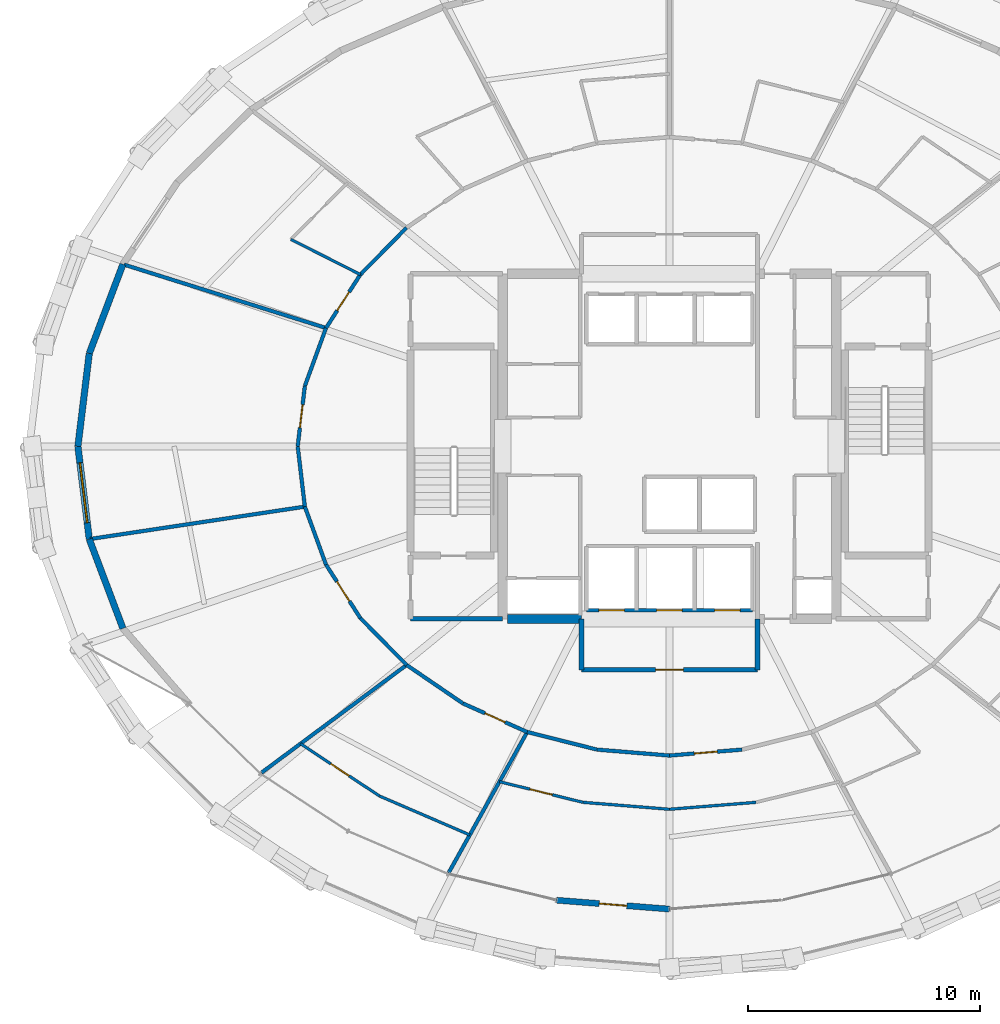
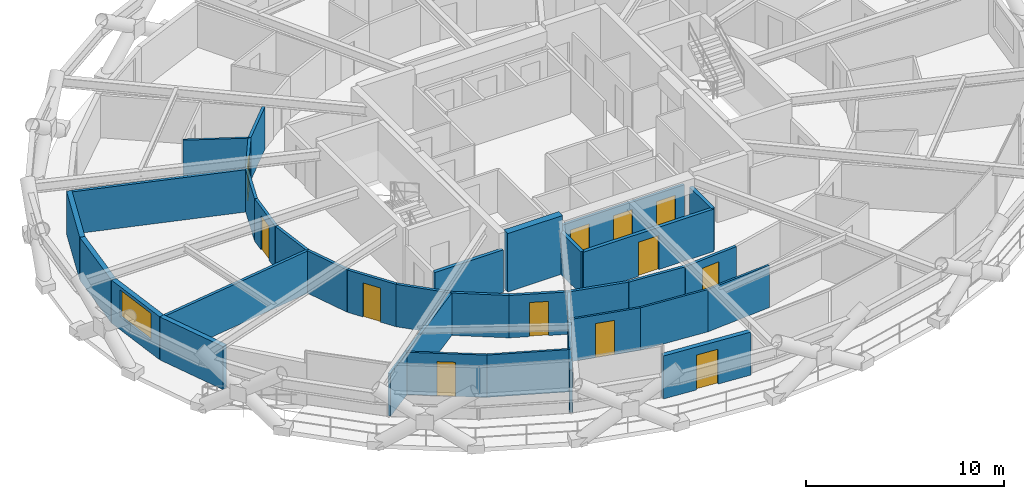
# One storey, part 11 of 17: 34 walls, 12 doors, 1 window, 13 openings.
"""IFC4 building model written with IfcOpenShell, lengths in metres."""

from ifc_helpers import new_model, si_unit, direction, frame, frame_2d, origin, place, context, subcontext, project, spatial, rectangle, extrude, material, layer, layer_set, type_object, element, fill, save


model = new_model("IFC4")

# Units and contexts
model_context = context("Model", 3, precision=1e-05, world=origin(), true_north=direction((0.0, 1.0)))
body_context = subcontext(model_context, "Body", "Model", "MODEL_VIEW")
ifc_project = project(units=[si_unit("LENGTHUNIT", "METRE"), si_unit("AREAUNIT", "SQUARE_METRE"), si_unit("VOLUMEUNIT", "CUBIC_METRE"), si_unit("PLANEANGLEUNIT", "RADIAN"), si_unit("MASSUNIT", "GRAM", prefix="KILO")], contexts=[model_context])

# Site, building, storey
site_placement = place(None, origin())
site = spatial("IfcSite", under=ifc_project, at=site_placement, CompositionType="ELEMENT")
building_placement = place(site_placement, origin())
building = spatial("IfcBuilding", under=site, at=building_placement, Name="Veldorina Hangang Commons", CompositionType="ELEMENT")
storey_placement = place(building_placement, frame((0.0, 0.0, 30.39990234375)))
storey = spatial("IfcBuildingStorey", under=building, at=storey_placement, Name="L06", CompositionType="ELEMENT", Elevation=30.39990234375)

# Wall
ifc_material_1 = material(Name="Concrete C70/85", Category="concrete")
ifc_layer_1 = layer(ifc_material_1, 0.39990234375)
ifc_layer_set_1 = layer_set([ifc_layer_1], Name="Concrete C70/85")
wall_type_1 = type_object("IfcWallType", Name="CW-RC400-C70", PredefinedType="SHEAR", material=ifc_layer_set_1)
wall_1_placement = place(storey_placement, frame((25.0, 16.550048828125, 0.0), z_axis=(0.0, 0.0, 1.0), x_axis=(1.0, 0.0, 0.0)))
element("IfcWall", 1, at=wall_1_placement, inside=storey, type_object=wall_type_1, Name="L06 south-west core shear wall", PredefinedType="SHEAR", context=body_context, shape_type="SweptSolid", body=[
    extrude(rectangle(XDim=3.199951171875, YDim=0.39990234375, at=frame_2d((1.60009765625, 0.0))), origin(), (0.0, 0.0, 1.0), 3.60009765625),
])

# Wall, opening, door
ifc_material_2 = material(Name="Stone Roman Travertine", Category="masonry")
ifc_layer_2 = layer(ifc_material_2, 0.260009765625)
ifc_layer_set_2 = layer_set([ifc_layer_2], Name="Stone Roman Travertine")
wall_type_2 = type_object("IfcWallType", Name="EW-LOGGIA-260", PredefinedType="STANDARD", material=ifc_layer_set_2)
wall_2_placement = place(storey_placement, frame((27.126708984375, 4.40380859375, 0.0), z_axis=(0.0, 0.0, 1.0), x_axis=(0.996913288378, -0.078510479902, 0.0)))
wall_2 = element("IfcWall", 2, at=wall_2_placement, inside=storey, type_object=wall_type_2, Name="L06 sky-garden loggia portal wall 23", PredefinedType="STANDARD", context=body_context, shape_type="SweptSolid", body=[
    extrude(rectangle(XDim=4.888427734375, YDim=0.260009765625, at=frame_2d((2.4443359375, 0.0))), origin(), (0.0, 0.0, 1.0), 2.650146484375),
])
opening_1_placement = place(wall_2_placement, frame((1.84423828125, 0.0, 0.0)))
opening_1 = element("IfcOpeningElement", 3, at=opening_1_placement, cuts=wall_2, Name="Opening BD-1200", PredefinedType="OPENING", context=body_context, shape_type="SweptSolid", body=[
    extrude(rectangle(XDim=1.199951171875, YDim=2.14990234375, at=frame_2d((0.60009765625, 1.074951171875))), frame((0.0, 0.14013671875, 0.0), z_axis=(0.0, -1.0, 0.0), x_axis=(1.0, 0.0, 0.0)), (0.0, 0.0, 1.0), 0.280029296875),
])
ifc_material_3 = material(Name="Glass Thermal Aluminium Frame", Category="aluminium")
door_type_1 = type_object("IfcDoorType", Name="DR-EXT-LOG1200", OperationType="SINGLE_SWING_LEFT", PredefinedType="DOOR", material=ifc_material_3)
door_1_placement = place(opening_1_placement, origin())
door_1 = element("IfcDoor", 4, at=door_1_placement, inside=storey, type_object=door_type_1, Name="L06 loggia glazed exterior door 23", OperationType="SINGLE_SWING_RIGHT", OverallHeight=2.14990234375, OverallWidth=1.199951171875, PredefinedType="DOOR", context=body_context, shape_type="SweptSolid", body=[
    extrude(rectangle(XDim=1.199951171875, YDim=2.14990234375, at=frame_2d((0.60009765625, 1.074951171875))), frame((0.0, 0.02490234375, 0.0), z_axis=(0.0, -1.0, 0.0), x_axis=(1.0, 0.0, 0.0)), (0.0, 0.0, 1.0), 0.050048828125),
])
fill(opening_1, door_1)

# Walls
ifc_layer_3 = layer(ifc_material_2, 0.280029296875)
ifc_layer_set_3 = layer_set([ifc_layer_3], Name="Stone Roman Travertine")
wall_type_3 = type_object("IfcWallType", Name="EW-TRAV-280", PredefinedType="STANDARD", material=ifc_layer_set_3)
wall_3_placement = place(storey_placement, frame((8.404052734375, 31.8603515625, 0.0), z_axis=(0.0, 0.0, 1.0), x_axis=(-0.352909401731, -0.935657498324, 0.0)))
element("IfcWall", 5, at=wall_3_placement, inside=storey, type_object=wall_type_3, Name="L06 travertine facade wall 14", PredefinedType="STANDARD", context=body_context, shape_type="SweptSolid", body=[
    extrude(rectangle(XDim=4.1181640625, YDim=0.280029296875, at=frame_2d((2.05908203125, 0.0))), origin(), (0.0, 0.0, 1.0), 2.650146484375),
])
wall_4_placement = place(storey_placement, frame((6.95068359375, 28.007080078125, 0.0), z_axis=(0.0, 0.0, 1.0), x_axis=(-0.121555781987, -0.992584601868, 0.0)))
element("IfcWall", 6, at=wall_4_placement, inside=storey, type_object=wall_type_3, Name="L06 travertine facade wall 15", PredefinedType="STANDARD", context=body_context, shape_type="SweptSolid", body=[
    extrude(rectangle(XDim=4.037109375, YDim=0.280029296875, at=frame_2d((2.0185546875, 0.0))), origin(), (0.0, 0.0, 1.0), 2.650146484375),
])

# Wall, opening, window
wall_5_placement = place(storey_placement, frame((6.4599609375, 24.0, 0.0), z_axis=(0.0, 0.0, 1.0), x_axis=(0.121555781987, -0.992584601868, 0.0)))
wall_5 = element("IfcWall", 7, at=wall_5_placement, inside=storey, type_object=wall_type_3, Name="L06 travertine facade wall 16", PredefinedType="STANDARD", context=body_context, shape_type="SweptSolid", body=[
    extrude(rectangle(XDim=4.037109375, YDim=0.280029296875, at=frame_2d((2.0185546875, 0.0))), origin(), (0.0, 0.0, 1.0), 2.650146484375),
])
opening_2_placement = place(wall_5_placement, frame((0.718505859375, 0.0, 0.800048828125)))
opening_2 = element("IfcOpeningElement", 8, at=opening_2_placement, cuts=wall_5, Name="Opening W-02", PredefinedType="OPENING", context=body_context, shape_type="SweptSolid", body=[
    extrude(rectangle(XDim=2.60009765625, YDim=1.64990234375, at=frame_2d((1.300048828125, 0.824951171875))), frame((0.0, 0.14990234375, 0.0), z_axis=(0.0, -1.0, 0.0), x_axis=(1.0, 0.0, 0.0)), (0.0, 0.0, 1.0), 0.300048828125),
])
ifc_material_4 = material(Name="Glass Low-E Triple IGU", Category="glass")
window_type = type_object("IfcWindowType", Name="WIN-TWR-2600", PartitioningType="SINGLE_PANEL", PredefinedType="WINDOW", material=ifc_material_4)
window_placement = place(opening_2_placement, origin())
window = element("IfcWindow", 9, at=window_placement, inside=storey, type_object=window_type, Name="L06 facade window 16", OverallHeight=1.64990234375, OverallWidth=2.60009765625, PartitioningType="SINGLE_PANEL", PredefinedType="WINDOW", context=body_context, shape_type="SweptSolid", body=[
    extrude(rectangle(XDim=2.60009765625, YDim=1.64990234375, at=frame_2d((1.300048828125, 0.824951171875))), frame((0.0, 0.030029296875, 0.0), z_axis=(0.0, -1.0, 0.0), x_axis=(1.0, 0.0, 0.0)), (0.0, 0.0, 1.0), 0.06005859375),
])
fill(opening_2, window)

# Wall
wall_6_placement = place(storey_placement, frame((6.95068359375, 19.992919921875, 0.0), z_axis=(0.0, 0.0, 1.0), x_axis=(0.352909401731, -0.935657498324, 0.0)))
element("IfcWall", 10, at=wall_6_placement, inside=storey, type_object=wall_type_3, Name="L06 travertine facade wall 17", PredefinedType="STANDARD", context=body_context, shape_type="SweptSolid", body=[
    extrude(rectangle(XDim=4.1181640625, YDim=0.280029296875, at=frame_2d((2.05908203125, 0.0))), origin(), (0.0, 0.0, 1.0), 2.650146484375),
])

# Wall, openings, doors
ifc_material_5 = material(Name="Gypsum Fire-Rated Twin Stud Wall", Category="gypsum")
ifc_layer_4 = layer(ifc_material_5, 0.159912109375)
ifc_layer_set_4 = layer_set([ifc_layer_4], Name="Gypsum Fire-Rated Twin Stud Wall")
wall_type_4 = type_object("IfcWallType", Name="WL-FIRE-160", PredefinedType="SOLIDWALL", material=ifc_layer_set_4)
wall_7_placement = place(storey_placement, frame((28.419921875, 16.919921875, 0.0), z_axis=(0.0, 0.0, 1.0), x_axis=(1.0, 0.0, 0.0)))
wall_7 = element("IfcWall", 11, at=wall_7_placement, inside=storey, type_object=wall_type_4, Name="L06 Emergency front shaft wall 026", PredefinedType="SOLIDWALL", context=body_context, shape_type="SweptSolid", body=[
    extrude(rectangle(XDim=7.16015625, YDim=0.159912109375, at=frame_2d((3.580078125, 0.0))), origin(), (0.0, 0.0, 1.0), 2.610107421875),
])
opening_3_placement = place(wall_7_placement, frame((0.530029296875, 0.0, 0.0)))
opening_3 = element("IfcOpeningElement", 12, at=opening_3_placement, cuts=wall_7, Name="Opening LD-03", PredefinedType="OPENING", context=body_context, shape_type="SweptSolid", body=[
    extrude(rectangle(XDim=1.10009765625, YDim=2.14990234375, at=frame_2d((0.550048828125, 1.074951171875))), frame((0.0, 0.08984375, 0.0), z_axis=(0.0, -1.0, 0.0), x_axis=(1.0, 0.0, 0.0)), (0.0, 0.0, 1.0), 0.179931640625),
])
opening_4_placement = place(wall_7_placement, frame((3.030029296875, 0.0, 0.0)))
opening_4 = element("IfcOpeningElement", 13, at=opening_4_placement, cuts=wall_7, Name="Opening LD-03", PredefinedType="OPENING", context=body_context, shape_type="SweptSolid", body=[
    extrude(rectangle(XDim=1.10009765625, YDim=2.14990234375, at=frame_2d((0.550048828125, 1.074951171875))), frame((0.0, 0.08984375, 0.0), z_axis=(0.0, -1.0, 0.0), x_axis=(1.0, 0.0, 0.0)), (0.0, 0.0, 1.0), 0.179931640625),
])
opening_5_placement = place(wall_7_placement, frame((5.530029296875, 0.0, 0.0)))
opening_5 = element("IfcOpeningElement", 14, at=opening_5_placement, cuts=wall_7, Name="Opening LD-03", PredefinedType="OPENING", context=body_context, shape_type="SweptSolid", body=[
    extrude(rectangle(XDim=1.10009765625, YDim=2.14990234375, at=frame_2d((0.550048828125, 1.074951171875))), frame((0.0, 0.08984375, 0.0), z_axis=(0.0, -1.0, 0.0), x_axis=(1.0, 0.0, 0.0)), (0.0, 0.0, 1.0), 0.179931640625),
])
ifc_material_6 = material(Name="Stainless Steel Firefighting Lift Door", Category="steel")
door_type_2 = type_object("IfcDoorType", Name="DR-LIFT-FF1100", OperationType="SLIDING_TO_RIGHT", PredefinedType="DOOR", material=ifc_material_6)
door_2_placement = place(opening_3_placement, origin())
door_2 = element("IfcDoor", 15, at=door_2_placement, inside=storey, type_object=door_type_2, Name="L06 Emergency lift FFL-1 landing door 009", OperationType="SLIDING_TO_RIGHT", OverallHeight=2.14990234375, OverallWidth=1.10009765625, PredefinedType="DOOR", context=body_context, shape_type="SweptSolid", body=[
    extrude(rectangle(XDim=1.10009765625, YDim=2.14990234375, at=frame_2d((0.550048828125, 1.074951171875))), frame((0.0, 0.02490234375, 0.0), z_axis=(0.0, -1.0, 0.0), x_axis=(1.0, 0.0, 0.0)), (0.0, 0.0, 1.0), 0.050048828125),
])
fill(opening_3, door_2)
door_3_placement = place(opening_4_placement, origin())
door_3 = element("IfcDoor", 16, at=door_3_placement, inside=storey, type_object=door_type_2, Name="L06 Emergency lift FFL-2 landing door 010", OperationType="SLIDING_TO_RIGHT", OverallHeight=2.14990234375, OverallWidth=1.10009765625, PredefinedType="DOOR", context=body_context, shape_type="SweptSolid", body=[
    extrude(rectangle(XDim=1.10009765625, YDim=2.14990234375, at=frame_2d((0.550048828125, 1.074951171875))), frame((0.0, 0.02490234375, 0.0), z_axis=(0.0, -1.0, 0.0), x_axis=(1.0, 0.0, 0.0)), (0.0, 0.0, 1.0), 0.050048828125),
])
fill(opening_4, door_3)
door_4_placement = place(opening_5_placement, origin())
door_4 = element("IfcDoor", 17, at=door_4_placement, inside=storey, type_object=door_type_2, Name="L06 Emergency lift EVL-1 landing door 011", OperationType="SLIDING_TO_RIGHT", OverallHeight=2.14990234375, OverallWidth=1.10009765625, PredefinedType="DOOR", context=body_context, shape_type="SweptSolid", body=[
    extrude(rectangle(XDim=1.10009765625, YDim=2.14990234375, at=frame_2d((0.550048828125, 1.074951171875))), frame((0.0, 0.02490234375, 0.0), z_axis=(0.0, -1.0, 0.0), x_axis=(1.0, 0.0, 0.0)), (0.0, 0.0, 1.0), 0.050048828125),
])
fill(opening_5, door_4)

# Wall
wall_8_placement = place(storey_placement, frame((20.65087890625, 33.43994140625, 0.0), z_axis=(0.0, 0.0, 1.0), x_axis=(-0.702366174226, -0.711815816981, 0.0)))
element("IfcWall", 18, at=wall_8_placement, inside=storey, type_object=wall_type_4, Name="L06 Corridor outer wall 12 059", PredefinedType="SOLIDWALL", context=body_context, shape_type="SweptSolid", body=[
    extrude(rectangle(XDim=2.842041015625, YDim=0.159912109375, at=frame_2d((1.4208984375, 0.0))), origin(), (0.0, 0.0, 1.0), 2.610107421875),
])

# Wall, opening, door
wall_9_placement = place(storey_placement, frame((18.65478515625, 31.4169921875, 0.0), z_axis=(0.0, 0.0, 1.0), x_axis=(-0.540595670038, -0.841282545603, 0.0)))
wall_9 = element("IfcWall", 19, at=wall_9_placement, inside=storey, type_object=wall_type_4, Name="L06 Corridor outer wall 13 060", PredefinedType="SOLIDWALL", context=body_context, shape_type="SweptSolid", body=[
    extrude(rectangle(XDim=2.74365234375, YDim=0.159912109375, at=frame_2d((1.371826171875, 0.0))), origin(), (0.0, 0.0, 1.0), 2.610107421875),
])
opening_6_placement = place(wall_9_placement, frame((0.896728515625, 0.0, 0.0)))
opening_6 = element("IfcOpeningElement", 20, at=opening_6_placement, cuts=wall_9, Name="Opening D-03", PredefinedType="OPENING", context=body_context, shape_type="SweptSolid", body=[
    extrude(rectangle(XDim=0.949951171875, YDim=2.10009765625, at=frame_2d((0.47509765625, 1.050048828125))), frame((0.0, 0.08984375, 0.0), z_axis=(0.0, -1.0, 0.0), x_axis=(1.0, 0.0, 0.0)), (0.0, 0.0, 1.0), 0.179931640625),
])
ifc_material_7 = material(Name="Timber Fire-Rated Entrance Core", Category="wood")
door_type_3 = type_object("IfcDoorType", Name="DR-UNIT-950", OperationType="SINGLE_SWING_RIGHT", PredefinedType="DOOR", material=ifc_material_7)
door_5_placement = place(opening_6_placement, origin())
door_5 = element("IfcDoor", 21, at=door_5_placement, inside=storey, type_object=door_type_3, Name="L06 Studio 11 entrance door 042", OperationType="SINGLE_SWING_RIGHT", OverallHeight=2.10009765625, OverallWidth=0.949951171875, PredefinedType="DOOR", context=body_context, shape_type="SweptSolid", body=[
    extrude(rectangle(XDim=0.949951171875, YDim=2.10009765625, at=frame_2d((0.47509765625, 1.050048828125))), frame((0.0, 0.02490234375, 0.0), z_axis=(0.0, -1.0, 0.0), x_axis=(1.0, 0.0, 0.0)), (0.0, 0.0, 1.0), 0.050048828125),
])
fill(opening_6, door_5)

# Wall
wall_10_placement = place(storey_placement, frame((17.171630859375, 29.10888671875, 0.0), z_axis=(0.0, 0.0, 1.0), x_axis=(-0.342617982381, -0.939474809747, 0.0)))
element("IfcWall", 22, at=wall_10_placement, inside=storey, type_object=wall_type_4, Name="L06 Corridor outer wall 14 061", PredefinedType="SOLIDWALL", context=body_context, shape_type="SweptSolid", body=[
    extrude(rectangle(XDim=2.665771484375, YDim=0.159912109375, at=frame_2d((1.3330078125, 0.0))), origin(), (0.0, 0.0, 1.0), 2.610107421875),
])

# Wall, opening, door
wall_11_placement = place(storey_placement, frame((16.25830078125, 26.6044921875, 0.0), z_axis=(0.0, 0.0, 1.0), x_axis=(-0.117570353762, -0.993064555765, 0.0)))
wall_11 = element("IfcWall", 23, at=wall_11_placement, inside=storey, type_object=wall_type_4, Name="L06 Corridor outer wall 15 062", PredefinedType="SOLIDWALL", context=body_context, shape_type="SweptSolid", body=[
    extrude(rectangle(XDim=2.622802734375, YDim=0.159912109375, at=frame_2d((1.3115234375, 0.0))), origin(), (0.0, 0.0, 1.0), 2.610107421875),
])
opening_7_placement = place(wall_11_placement, frame((0.811279296875, 0.0, 0.0)))
opening_7 = element("IfcOpeningElement", 24, at=opening_7_placement, cuts=wall_11, Name="Opening D-05", PredefinedType="OPENING", context=body_context, shape_type="SweptSolid", body=[
    extrude(rectangle(XDim=1.0, YDim=2.10009765625, at=frame_2d((0.5, 1.050048828125))), frame((0.0, 0.08984375, 0.0), z_axis=(0.0, -1.0, 0.0), x_axis=(1.0, 0.0, 0.0)), (0.0, 0.0, 1.0), 0.179931640625),
])
ifc_material_8 = material(Name="Timber Solid Core Acoustic", Category="wood")
door_type_4 = type_object("IfcDoorType", Name="DR-INT-1000", OperationType="SINGLE_SWING_RIGHT", PredefinedType="DOOR", material=ifc_material_8)
door_6_placement = place(opening_7_placement, origin())
door_6 = element("IfcDoor", 25, at=door_6_placement, inside=storey, type_object=door_type_4, Name="L06 Floor Study Room 12 door 043", OperationType="SINGLE_SWING_LEFT", OverallHeight=2.10009765625, OverallWidth=1.0, PredefinedType="DOOR", context=body_context, shape_type="SweptSolid", body=[
    extrude(rectangle(XDim=1.0, YDim=2.10009765625, at=frame_2d((0.5, 1.050048828125))), frame((0.0, 0.02490234375, 0.0), z_axis=(0.0, -1.0, 0.0), x_axis=(1.0, 0.0, 0.0)), (0.0, 0.0, 1.0), 0.050048828125),
])
fill(opening_7, door_6)

# Walls
wall_12_placement = place(storey_placement, frame((15.949951171875, 24.0, 0.0), z_axis=(0.0, 0.0, 1.0), x_axis=(0.117570353762, -0.993064555765, 0.0)))
element("IfcWall", 26, at=wall_12_placement, inside=storey, type_object=wall_type_4, Name="L06 Corridor outer wall 16 063", PredefinedType="SOLIDWALL", context=body_context, shape_type="SweptSolid", body=[
    extrude(rectangle(XDim=2.622802734375, YDim=0.159912109375, at=frame_2d((1.3115234375, 0.0))), origin(), (0.0, 0.0, 1.0), 2.610107421875),
])
wall_13_placement = place(storey_placement, frame((16.25830078125, 21.3955078125, 0.0), z_axis=(0.0, 0.0, 1.0), x_axis=(0.342617982381, -0.939474809747, 0.0)))
element("IfcWall", 27, at=wall_13_placement, inside=storey, type_object=wall_type_4, Name="L06 Corridor outer wall 17 064", PredefinedType="SOLIDWALL", context=body_context, shape_type="SweptSolid", body=[
    extrude(rectangle(XDim=2.665771484375, YDim=0.159912109375, at=frame_2d((1.3330078125, 0.0))), origin(), (0.0, 0.0, 1.0), 2.610107421875),
])

# Wall, opening, door
wall_14_placement = place(storey_placement, frame((17.171630859375, 18.89111328125, 0.0), z_axis=(0.0, 0.0, 1.0), x_axis=(0.540595670038, -0.841282545603, 0.0)))
wall_14 = element("IfcWall", 28, at=wall_14_placement, inside=storey, type_object=wall_type_4, Name="L06 Corridor outer wall 18 065", PredefinedType="SOLIDWALL", context=body_context, shape_type="SweptSolid", body=[
    extrude(rectangle(XDim=2.74365234375, YDim=0.159912109375, at=frame_2d((1.371826171875, 0.0))), origin(), (0.0, 0.0, 1.0), 2.610107421875),
])
opening_8_placement = place(wall_14_placement, frame((0.871826171875, 0.0, 0.0)))
opening_8 = element("IfcOpeningElement", 29, at=opening_8_placement, cuts=wall_14, Name="Opening D-05", PredefinedType="OPENING", context=body_context, shape_type="SweptSolid", body=[
    extrude(rectangle(XDim=1.0, YDim=2.10009765625, at=frame_2d((0.5, 1.050048828125))), frame((0.0, 0.08984375, 0.0), z_axis=(0.0, -1.0, 0.0), x_axis=(1.0, 0.0, 0.0)), (0.0, 0.0, 1.0), 0.179931640625),
])
door_7_placement = place(opening_8_placement, origin())
door_7 = element("IfcDoor", 30, at=door_7_placement, inside=storey, type_object=door_type_4, Name="L06 Seminar Focus Room 13 door 044", OperationType="SINGLE_SWING_RIGHT", OverallHeight=2.10009765625, OverallWidth=1.0, PredefinedType="DOOR", context=body_context, shape_type="SweptSolid", body=[
    extrude(rectangle(XDim=1.0, YDim=2.10009765625, at=frame_2d((0.5, 1.050048828125))), frame((0.0, 0.02490234375, 0.0), z_axis=(0.0, -1.0, 0.0), x_axis=(1.0, 0.0, 0.0)), (0.0, 0.0, 1.0), 0.050048828125),
])
fill(opening_8, door_7)

# Walls
wall_15_placement = place(storey_placement, frame((18.65478515625, 16.5830078125, 0.0), z_axis=(0.0, 0.0, 1.0), x_axis=(0.702366174226, -0.711815816981, 0.0)))
element("IfcWall", 31, at=wall_15_placement, inside=storey, type_object=wall_type_4, Name="L06 Corridor outer wall 19 066", PredefinedType="SOLIDWALL", context=body_context, shape_type="SweptSolid", body=[
    extrude(rectangle(XDim=2.842041015625, YDim=0.159912109375, at=frame_2d((1.4208984375, 0.0))), origin(), (0.0, 0.0, 1.0), 2.610107421875),
])
wall_16_placement = place(storey_placement, frame((20.65087890625, 14.56005859375, 0.0), z_axis=(0.0, 0.0, 1.0), x_axis=(0.825929039072, -0.563774088104, 0.0)))
element("IfcWall", 32, at=wall_16_placement, inside=storey, type_object=wall_type_4, Name="L06 Corridor outer wall 20 067", PredefinedType="SOLIDWALL", context=body_context, shape_type="SweptSolid", body=[
    extrude(rectangle(XDim=2.94482421875, YDim=0.159912109375, at=frame_2d((1.472412109375, 0.0))), origin(), (0.0, 0.0, 1.0), 2.610107421875),
])

# Wall, opening, door
wall_17_placement = place(storey_placement, frame((23.0830078125, 12.89990234375, 0.0), z_axis=(0.0, 0.0, 1.0), x_axis=(0.913768445178, -0.406235434936, 0.0)))
wall_17 = element("IfcWall", 33, at=wall_17_placement, inside=storey, type_object=wall_type_4, Name="L06 Corridor outer wall 21 068", PredefinedType="SOLIDWALL", context=body_context, shape_type="SweptSolid", body=[
    extrude(rectangle(XDim=3.036865234375, YDim=0.159912109375, at=frame_2d((1.5185546875, 0.0))), origin(), (0.0, 0.0, 1.0), 2.610107421875),
])
opening_9_placement = place(wall_17_placement, frame((1.04345703125, 0.0, 0.0)))
opening_9 = element("IfcOpeningElement", 34, at=opening_9_placement, cuts=wall_17, Name="Opening D-02", PredefinedType="OPENING", context=body_context, shape_type="SweptSolid", body=[
    extrude(rectangle(XDim=0.949951171875, YDim=2.10009765625, at=frame_2d((0.47509765625, 1.050048828125))), frame((0.0, 0.08984375, 0.0), z_axis=(0.0, -1.0, 0.0), x_axis=(1.0, 0.0, 0.0)), (0.0, 0.0, 1.0), 0.179931640625),
])
door_type_5 = type_object("IfcDoorType", Name="DR-INT-950", OperationType="SINGLE_SWING_LEFT", PredefinedType="DOOR", material=ifc_material_8)
door_8_placement = place(opening_9_placement, origin())
door_8 = element("IfcDoor", 35, at=door_8_placement, inside=storey, type_object=door_type_5, Name="L06 Linen drying store door 045", OperationType="SINGLE_SWING_LEFT", OverallHeight=2.10009765625, OverallWidth=0.949951171875, PredefinedType="DOOR", context=body_context, shape_type="SweptSolid", body=[
    extrude(rectangle(XDim=0.949951171875, YDim=2.10009765625, at=frame_2d((0.47509765625, 1.050048828125))), frame((0.0, 0.02490234375, 0.0), z_axis=(0.0, -1.0, 0.0), x_axis=(1.0, 0.0, 0.0)), (0.0, 0.0, 1.0), 0.050048828125),
])
fill(opening_9, door_8)

# Walls
wall_18_placement = place(storey_placement, frame((25.85791015625, 11.666259765625, 0.0), z_axis=(0.0, 0.0, 1.0), x_axis=(0.969608333194, -0.244662380029, 0.0)))
element("IfcWall", 36, at=wall_18_placement, inside=storey, type_object=wall_type_4, Name="L06 Corridor outer wall 22 069", PredefinedType="SOLIDWALL", context=body_context, shape_type="SweptSolid", body=[
    extrude(rectangle(XDim=3.10546875, YDim=0.159912109375, at=frame_2d((1.552734375, 0.0))), origin(), (0.0, 0.0, 1.0), 2.610107421875),
])
wall_19_placement = place(storey_placement, frame((28.868896484375, 10.906494140625, 0.0), z_axis=(0.0, 0.0, 1.0), x_axis=(0.996658973252, -0.081675522876, 0.0)))
element("IfcWall", 37, at=wall_19_placement, inside=storey, type_object=wall_type_4, Name="L06 Corridor outer wall 23 070", PredefinedType="SOLIDWALL", context=body_context, shape_type="SweptSolid", body=[
    extrude(rectangle(XDim=3.1416015625, YDim=0.159912109375, at=frame_2d((1.57080078125, 0.0))), origin(), (0.0, 0.0, 1.0), 2.610107421875),
])

# Wall, opening, door
wall_20_placement = place(storey_placement, frame((32.0, 10.64990234375, 0.0), z_axis=(0.0, 0.0, 1.0), x_axis=(0.996658973252, 0.081675522876, 0.0)))
wall_20 = element("IfcWall", 38, at=wall_20_placement, inside=storey, type_object=wall_type_4, Name="L06 Corridor outer wall 24 071", PredefinedType="SOLIDWALL", context=body_context, shape_type="SweptSolid", body=[
    extrude(rectangle(XDim=3.1416015625, YDim=0.159912109375, at=frame_2d((1.57080078125, 0.0))), origin(), (0.0, 0.0, 1.0), 2.610107421875),
])
opening_10_placement = place(wall_20_placement, frame((1.07080078125, 0.0, 0.0)))
opening_10 = element("IfcOpeningElement", 39, at=opening_10_placement, cuts=wall_20, Name="Opening D-05", PredefinedType="OPENING", context=body_context, shape_type="SweptSolid", body=[
    extrude(rectangle(XDim=1.0, YDim=2.10009765625, at=frame_2d((0.5, 1.050048828125))), frame((0.0, 0.08984375, 0.0), z_axis=(0.0, -1.0, 0.0), x_axis=(1.0, 0.0, 0.0)), (0.0, 0.0, 1.0), 0.179931640625),
])
door_9_placement = place(opening_10_placement, origin())
door_9 = element("IfcDoor", 40, at=door_9_placement, inside=storey, type_object=door_type_4, Name="L06 Commons alcove door 021", OperationType="SINGLE_SWING_LEFT", OverallHeight=2.10009765625, OverallWidth=1.0, PredefinedType="DOOR", context=body_context, shape_type="SweptSolid", body=[
    extrude(rectangle(XDim=1.0, YDim=2.10009765625, at=frame_2d((0.5, 1.050048828125))), frame((0.0, 0.02490234375, 0.0), z_axis=(0.0, -1.0, 0.0), x_axis=(1.0, 0.0, 0.0)), (0.0, 0.0, 1.0), 0.050048828125),
])
fill(opening_10, door_9)

# Walls
wall_21_placement = place(storey_placement, frame((25.85791015625, 11.666259765625, 0.0), z_axis=(0.0, 0.0, 1.0), x_axis=(-0.487198928002, -0.873291019394, 0.0)))
element("IfcWall", 41, at=wall_21_placement, inside=storey, type_object=wall_type_4, Name="L06 Unit party wall 22 079", PredefinedType="SOLIDWALL", context=body_context, shape_type="SweptSolid", body=[
    extrude(rectangle(XDim=6.9638671875, YDim=0.159912109375, at=frame_2d((3.48193359375, 0.0))), origin(), (0.0, 0.0, 1.0), 2.610107421875),
])
wall_22_placement = place(storey_placement, frame((17.171630859375, 29.10888671875, 0.0), z_axis=(0.0, 0.0, 1.0), x_axis=(-0.954123744585, 0.299412558218, 0.0)))
element("IfcWall", 42, at=wall_22_placement, inside=storey, type_object=wall_type_4, Name="L06 Unit party wall 14 114", PredefinedType="SOLIDWALL", context=body_context, shape_type="SweptSolid", body=[
    extrude(rectangle(XDim=9.138916015625, YDim=0.159912109375, at=frame_2d((4.5693359375, 0.0))), origin(), (0.0, 0.0, 1.0), 2.610107421875),
])
wall_23_placement = place(storey_placement, frame((16.25830078125, 21.3955078125, 0.0), z_axis=(0.0, 0.0, 1.0), x_axis=(-0.988833984228, -0.149021312691, 0.0)))
element("IfcWall", 43, at=wall_23_placement, inside=storey, type_object=wall_type_4, Name="L06 Unit party wall 17 115", PredefinedType="SOLIDWALL", context=body_context, shape_type="SweptSolid", body=[
    extrude(rectangle(XDim=9.36279296875, YDim=0.159912109375, at=frame_2d((4.681396484375, 0.0))), origin(), (0.0, 0.0, 1.0), 2.610107421875),
])
wall_24_placement = place(storey_placement, frame((20.65087890625, 14.56005859375, 0.0), z_axis=(0.0, 0.0, 1.0), x_axis=(-0.802903631364, -0.596108848065, 0.0)))
element("IfcWall", 44, at=wall_24_placement, inside=storey, type_object=wall_type_4, Name="L06 Unit party wall 20 116", PredefinedType="SOLIDWALL", context=body_context, shape_type="SweptSolid", body=[
    extrude(rectangle(XDim=7.814453125, YDim=0.159912109375, at=frame_2d((3.9072265625, 0.0))), origin(), (0.0, 0.0, 1.0), 2.610107421875),
])
ifc_material_9 = material(Name="Concrete Blockwork Fire Wall C30/37", Category="masonry")
ifc_layer_5 = layer(ifc_material_9, 0.199951171875)
ifc_layer_set_5 = layer_set([ifc_layer_5], Name="Concrete Blockwork Fire Wall C30/37")
wall_type_5 = type_object("IfcWallType", Name="WL-FIRE-200", PredefinedType="SOLIDWALL", material=ifc_layer_set_5)
wall_25_placement = place(storey_placement, frame((20.820068359375, 16.550048828125, 0.0), z_axis=(0.0, 0.0, 1.0), x_axis=(1.0, 0.0, 0.0)))
element("IfcWall", 45, at=wall_25_placement, inside=storey, type_object=wall_type_5, Name="L06 West vestibule south wall 002", PredefinedType="SOLIDWALL", context=body_context, shape_type="SweptSolid", body=[
    extrude(rectangle(XDim=3.97998046875, YDim=0.199951171875, at=frame_2d((1.989990234375, 0.0))), origin(), (0.0, 0.0, 1.0), 2.610107421875),
])
for number, where, z_axis, x_axis, name in (
    (46, (28.199951171875, 14.35009765625, 0.0), (0.0, 0.0, 1.0), (0.0, 1.0, 0.0), "L06 FF lobby west wall 012"),
    (47, (35.800048828125, 14.35009765625, 0.0), (0.0, 0.0, 1.0), (0.0, 1.0, 0.0), "L06 FF lobby east wall 013"),
):
    element("IfcWall", number, at=place(storey_placement, frame(where, z_axis=z_axis, x_axis=x_axis)), inside=storey, type_object=wall_type_5, Name=name, PredefinedType="SOLIDWALL", context=body_context, shape_type="SweptSolid", body=[
        extrude(rectangle(XDim=2.199951171875, YDim=0.199951171875, at=frame_2d((1.10009765625, 0.0))), origin(), (0.0, 0.0, 1.0), 2.610107421875),
    ])

# Wall, opening, door
wall_26_placement = place(storey_placement, frame((28.199951171875, 14.35009765625, 0.0), z_axis=(0.0, 0.0, 1.0), x_axis=(1.0, 0.0, 0.0)))
wall_26 = element("IfcWall", 48, at=wall_26_placement, inside=storey, type_object=wall_type_5, Name="L06 FF lobby south wall 014", PredefinedType="SOLIDWALL", context=body_context, shape_type="SweptSolid", body=[
    extrude(rectangle(XDim=7.60009765625, YDim=0.199951171875, at=frame_2d((3.800048828125, 0.0))), origin(), (0.0, 0.0, 1.0), 2.610107421875),
])
opening_11_placement = place(wall_26_placement, frame((3.199951171875, 0.0, 0.0)))
opening_11 = element("IfcOpeningElement", 49, at=opening_11_placement, cuts=wall_26, Name="Opening D-09", PredefinedType="OPENING", context=body_context, shape_type="SweptSolid", body=[
    extrude(rectangle(XDim=1.199951171875, YDim=2.10009765625, at=frame_2d((0.60009765625, 1.050048828125))), frame((0.0, 0.10986328125, 0.0), z_axis=(0.0, -1.0, 0.0), x_axis=(1.0, 0.0, 0.0)), (0.0, 0.0, 1.0), 0.219970703125),
])
ifc_material_10 = material(Name="Steel Fire-Rated Corridor Door", Category="steel")
door_type_6 = type_object("IfcDoorType", Name="DR-FIRE-1200", OperationType="SINGLE_SWING_LEFT", PredefinedType="DOOR", material=ifc_material_10)
door_10_placement = place(opening_11_placement, origin())
door_10 = element("IfcDoor", 50, at=door_10_placement, inside=storey, type_object=door_type_6, Name="L06 FF lobby south corridor door 005", OperationType="SINGLE_SWING_LEFT", OverallHeight=2.10009765625, OverallWidth=1.199951171875, PredefinedType="DOOR", context=body_context, shape_type="SweptSolid", body=[
    extrude(rectangle(XDim=1.199951171875, YDim=2.10009765625, at=frame_2d((0.60009765625, 1.050048828125))), frame((0.0, 0.02490234375, 0.0), z_axis=(0.0, -1.0, 0.0), x_axis=(1.0, 0.0, 0.0)), (0.0, 0.0, 1.0), 0.050048828125),
])
fill(opening_11, door_10)

ifc_material_11 = material(Name="Gypsum Acoustic Stud Partition", Category="gypsum")
ifc_layer_6 = layer(ifc_material_11, 0.1201171875)
ifc_layer_set_6 = layer_set([ifc_layer_6], Name="Gypsum Acoustic Stud Partition")
wall_type_6 = type_object("IfcWallType", Name="WL-PART-120", PredefinedType="PARTITIONING", material=ifc_layer_set_6)
wall_27_placement = place(storey_placement, frame((24.661865234375, 9.522216796875, 0.0), z_axis=(0.0, 0.0, 1.0), x_axis=(0.970628797592, -0.240582080142, 0.0)))
wall_27 = element("IfcWall", 51, at=wall_27_placement, inside=storey, type_object=wall_type_6, Name="L06 Lounge alcove split 0 080", PredefinedType="PARTITIONING", context=body_context, shape_type="SweptSolid", body=[
    extrude(rectangle(XDim=3.7060546875, YDim=0.1201171875, at=frame_2d((1.85302734375, 0.0))), origin(), (0.0, 0.0, 1.0), 2.610107421875),
])
opening_12_placement = place(wall_27_placement, frame((1.35302734375, 0.0, 0.0)))
opening_12 = element("IfcOpeningElement", 52, at=opening_12_placement, cuts=wall_27, Name="Opening D-05", PredefinedType="OPENING", context=body_context, shape_type="SweptSolid", body=[
    extrude(rectangle(XDim=1.0, YDim=2.10009765625, at=frame_2d((0.5, 1.050048828125))), frame((0.0, 0.070068359375, 0.0), z_axis=(0.0, -1.0, 0.0), x_axis=(1.0, 0.0, 0.0)), (0.0, 0.0, 1.0), 0.14013671875),
])
door_11_placement = place(opening_12_placement, origin())
door_11 = element("IfcDoor", 53, at=door_11_placement, inside=storey, type_object=door_type_4, Name="L06 Commons lounge door 022", OperationType="SINGLE_SWING_RIGHT", OverallHeight=2.10009765625, OverallWidth=1.0, PredefinedType="DOOR", context=body_context, shape_type="SweptSolid", body=[
    extrude(rectangle(XDim=1.0, YDim=2.10009765625, at=frame_2d((0.5, 1.050048828125))), frame((0.0, 0.02490234375, 0.0), z_axis=(0.0, -1.0, 0.0), x_axis=(1.0, 0.0, 0.0)), (0.0, 0.0, 1.0), 0.050048828125),
])
fill(opening_12, door_11)

# Walls
for number, where, z_axis, x_axis, name in (
    (54, (28.259033203125, 8.630615234375, 0.0), (0.0, 0.0, 1.0), (0.99677814678, -0.080208017685, 0.0), "L06 Lounge alcove split 1 081"),
    (55, (32.0, 8.32958984375, 0.0), (0.0, 0.0, 1.0), (0.99677814678, 0.080208017685, 0.0), "L06 Lounge alcove split 2 082"),
):
    element("IfcWall", number, at=place(storey_placement, frame(where, z_axis=z_axis, x_axis=x_axis)), inside=storey, type_object=wall_type_6, Name=name, PredefinedType="PARTITIONING", context=body_context, shape_type="SweptSolid", body=[
        extrude(rectangle(XDim=3.753173828125, YDim=0.1201171875, at=frame_2d((1.87646484375, 0.0))), origin(), (0.0, 0.0, 1.0), 2.610107421875),
    ])
wall_28_placement = place(storey_placement, frame((18.65478515625, 31.4169921875, 0.0), z_axis=(0.0, 0.0, 1.0), x_axis=(-0.892193104213, 0.451654142895, 0.0)))
element("IfcWall", 56, at=wall_28_placement, inside=storey, type_object=wall_type_6, Name="L06 Studio 11 bath side wall 113", PredefinedType="PARTITIONING", context=body_context, shape_type="SweptSolid", body=[
    extrude(rectangle(XDim=3.360595703125, YDim=0.1201171875, at=frame_2d((1.68017578125, 0.0))), origin(), (0.0, 0.0, 1.0), 2.610107421875),
])

# Wall, opening, door
wall_29_placement = place(storey_placement, frame((16.0703125, 11.1591796875, 0.0), z_axis=(0.0, 0.0, 1.0), x_axis=(0.834027057928, -0.551723541861, 0.0)))
wall_29 = element("IfcWall", 57, at=wall_29_placement, inside=storey, type_object=wall_type_6, Name="L06 Laundry split 0 117", PredefinedType="PARTITIONING", context=body_context, shape_type="SweptSolid", body=[
    extrude(rectangle(XDim=4.09326171875, YDim=0.1201171875, at=frame_2d((2.046630859375, 0.0))), origin(), (0.0, 0.0, 1.0), 2.610107421875),
])
opening_13_placement = place(wall_29_placement, frame((1.571533203125, 0.0, 0.0)))
opening_13 = element("IfcOpeningElement", 58, at=opening_13_placement, cuts=wall_29, Name="Opening D-02", PredefinedType="OPENING", context=body_context, shape_type="SweptSolid", body=[
    extrude(rectangle(XDim=0.949951171875, YDim=2.10009765625, at=frame_2d((0.47509765625, 1.050048828125))), frame((0.0, 0.070068359375, 0.0), z_axis=(0.0, -1.0, 0.0), x_axis=(1.0, 0.0, 0.0)), (0.0, 0.0, 1.0), 0.14013671875),
])
door_12_placement = place(opening_13_placement, origin())
door_12 = element("IfcDoor", 59, at=door_12_placement, inside=storey, type_object=door_type_5, Name="L06 Resident laundry inner door 046", OperationType="SINGLE_SWING_RIGHT", OverallHeight=2.10009765625, OverallWidth=0.949951171875, PredefinedType="DOOR", context=body_context, shape_type="SweptSolid", body=[
    extrude(rectangle(XDim=0.949951171875, YDim=2.10009765625, at=frame_2d((0.47509765625, 1.050048828125))), frame((0.0, 0.02490234375, 0.0), z_axis=(0.0, -1.0, 0.0), x_axis=(1.0, 0.0, 0.0)), (0.0, 0.0, 1.0), 0.050048828125),
])
fill(opening_13, door_12)

# Wall
wall_30_placement = place(storey_placement, frame((19.484130859375, 8.90087890625, 0.0), z_axis=(0.0, 0.0, 1.0), x_axis=(0.918372064444, -0.39571801987, 0.0)))
element("IfcWall", 60, at=wall_30_placement, inside=storey, type_object=wall_type_6, Name="L06 Laundry split 1 118", PredefinedType="PARTITIONING", context=body_context, shape_type="SweptSolid", body=[
    extrude(rectangle(XDim=4.240966796875, YDim=0.1201171875, at=frame_2d((2.12060546875, 0.0))), origin(), (0.0, 0.0, 1.0), 2.610107421875),
])

save(model, "model.ifc")
